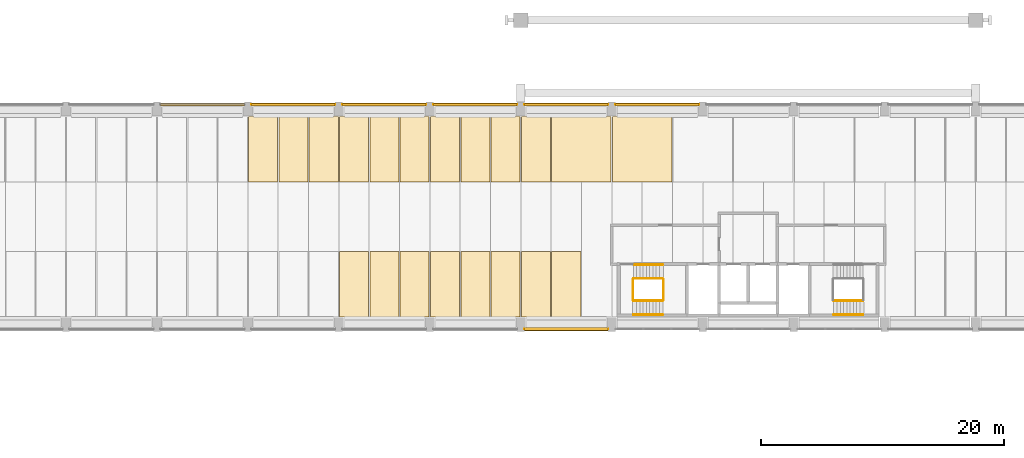
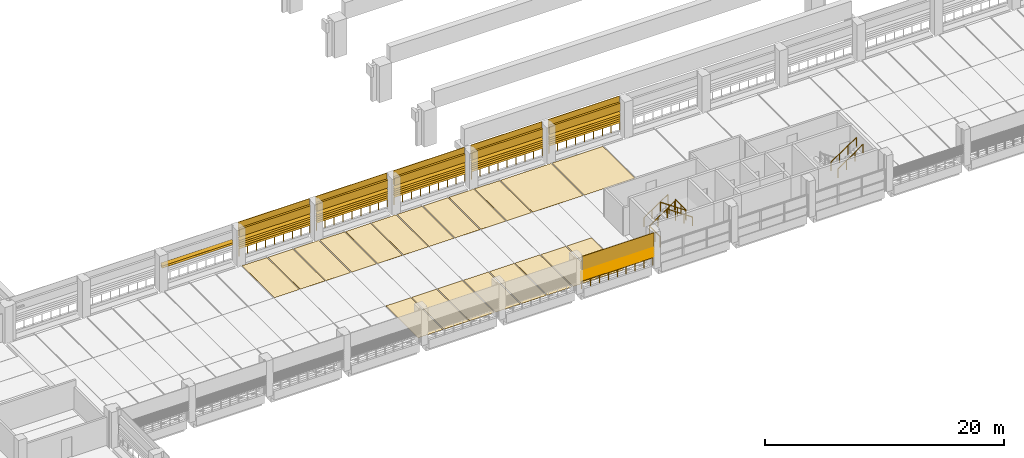
# One storey, part 45 of 61: 32 shading devices, 26 coverings, 14 railings.
"""IFC4 building model written with IfcOpenShell, lengths in metres."""

import ifcopenshell
import ifcopenshell.guid

model = None  # the IFC model being written
_history = None  # IfcOwnerHistory: only IFC2X3 demands one
_inside = {}  # id of a spatial element -> (the spatial element, [elements in it])
_under = {}  # id of a project, library or spatial element -> (it, [spatial elements below it])
_declared = {}  # id of a project -> (the project, [libraries it declares])
_typed = {}  # id of a type object -> (the type object, [elements of that type])
_made_of = {}  # id of a material, layer set ... -> (it, [elements and type objects made of it])


def new_model(schema):
    """Start an empty IFC model of exactly this schema.

    Asked for "IFC4X3", IfcOpenShell would pick the latest addendum, in which some entities
    have other attributes; the version numbers below select the first issue.
    IFC2X3 requires an IfcOwnerHistory on every rooted entity: one is made here for all.
    """
    global model, _history
    if schema == "IFC4X3":
        model = ifcopenshell.file(schema_version=(4, 3, 0, 0))
    else:
        model = ifcopenshell.file(schema=schema)
    _inside.clear()
    _under.clear()
    _declared.clear()
    _typed.clear()
    _made_of.clear()
    _history = None
    if model.schema == "IFC2X3":
        org = make("IfcOrganization", Name="unknown")
        user = make(
            "IfcPersonAndOrganization",
            ThePerson=make("IfcPerson", FamilyName="unknown"),
            TheOrganization=org,
        )
        app = make(
            "IfcApplication",
            ApplicationDeveloper=org,
            Version="unknown",
            ApplicationFullName="unknown",
            ApplicationIdentifier="unknown",
        )
        _history = make(
            "IfcOwnerHistory",
            OwningUser=user,
            OwningApplication=app,
            ChangeAction="ADDED",
            CreationDate=0,
        )
    return model


def make(cls, **values):
    """One entity of the class cls with the attributes given. An attribute that is None is left unset."""
    return model.create_entity(
        cls, **{name: value for name, value in values.items() if value is not None}
    )


def rooted(cls, **values):
    """An entity with a GlobalId (a new one), such as an element, a storey or a relation."""
    return make(cls, GlobalId=ifcopenshell.guid.new(), OwnerHistory=_history, **values)


def si_unit(unit_type, name, prefix=None):
    """IfcSIUnit, for example si_unit("LENGTHUNIT", "METRE", prefix="MILLI")."""
    return make("IfcSIUnit", UnitType=unit_type, Prefix=prefix, Name=name)


def assignment(units):
    """IfcUnitAssignment: the units of a project."""
    return None if units is None else make("IfcUnitAssignment", Units=units)


def point(xyz):
    """IfcCartesianPoint."""
    return None if xyz is None else make("IfcCartesianPoint", Coordinates=xyz)


def direction(xyz):
    """IfcDirection."""
    return None if xyz is None else make("IfcDirection", DirectionRatios=xyz)


def frame(location, z_axis=None, x_axis=None):
    """IfcAxis2Placement3D, a coordinate frame: its origin and axes. An axis left out is left unset."""
    return make(
        "IfcAxis2Placement3D",
        Location=point(location),
        Axis=direction(z_axis),
        RefDirection=direction(x_axis),
    )


def frame_2d(location, x_axis=None):
    """IfcAxis2Placement2D, a coordinate frame in the plane: its origin and x axis."""
    return make(
        "IfcAxis2Placement2D", Location=point(location), RefDirection=direction(x_axis)
    )


def origin():
    """The frame at (0, 0, 0) with its axes left unset."""
    return frame((0.0, 0.0, 0.0))


def origin_2d():
    """The frame at (0, 0) in the plane with its x axis left unset."""
    return frame_2d((0.0, 0.0))


def place(relative_to, where):
    """IfcLocalPlacement: puts the frame where relative to a parent placement (None: the world)."""
    return make(
        "IfcLocalPlacement", PlacementRelTo=relative_to, RelativePlacement=where
    )


def context(
    kind, dimensions, precision=None, world=None, true_north=None, identifier=None
):
    """IfcGeometricRepresentationContext, for example the 3D "Model" context."""
    return make(
        "IfcGeometricRepresentationContext",
        ContextIdentifier=identifier,
        ContextType=kind,
        CoordinateSpaceDimension=dimensions,
        Precision=precision,
        WorldCoordinateSystem=world,
        TrueNorth=true_north,
    )


def subcontext(parent, identifier, kind, view, scale=None):
    """IfcGeometricRepresentationSubContext, for example "Body" below "Model"."""
    return make(
        "IfcGeometricRepresentationSubContext",
        ContextIdentifier=identifier,
        ContextType=kind,
        ParentContext=parent,
        TargetScale=scale,
        TargetView=view,
    )


def project(units=None, contexts=None):
    """IfcProject with its units and contexts."""
    return rooted(
        "IfcProject",
        Name="project",
        RepresentationContexts=contexts,
        UnitsInContext=assignment(units),
    )


def spatial(cls, under=None, at=None, **own):
    """A site, building, storey or space (cls), placed at a placement, below another one or the project."""
    s = rooted(cls, ObjectPlacement=at, **own)
    if under is not None:
        _under.setdefault(under.id(), (under, []))[1].append(s)
    return s


def polyline(points):
    """IfcPolyline through the points."""
    return make("IfcPolyline", Points=[point(p) for p in points])


def profile(cls, at=None, kind="AREA", **sizes):
    """A parametric profile (cls). Its sizes go by their IFC names, for example OverallWidth=200.0."""
    return make(cls, ProfileType=kind, Position=at, **sizes)


def circle(**sizes):
    """IfcCircleProfileDef."""
    return profile("IfcCircleProfileDef", **sizes)


def outline(outer, holes=None, kind="AREA"):
    """IfcArbitraryClosedProfileDef: a profile drawn as a closed curve; with holes, ...WithVoids."""
    if holes is None:
        return make("IfcArbitraryClosedProfileDef", ProfileType=kind, OuterCurve=outer)
    return make(
        "IfcArbitraryProfileDefWithVoids",
        ProfileType=kind,
        OuterCurve=outer,
        InnerCurves=holes,
    )


def extrude(swept, where, along, depth):
    """IfcExtrudedAreaSolid: the profile swept, set in the frame where, extruded along a direction by depth."""
    return make(
        "IfcExtrudedAreaSolid",
        SweptArea=swept,
        Position=where,
        ExtrudedDirection=direction(along),
        Depth=depth,
    )


def shape(context_of_items, identifier, shape_type, items):
    """IfcShapeRepresentation: the items that make up one representation, for example the "Body"."""
    return make(
        "IfcShapeRepresentation",
        ContextOfItems=context_of_items,
        RepresentationIdentifier=identifier,
        RepresentationType=shape_type,
        Items=items,
    )


def material(Name=None, Category=None):
    """IfcMaterial."""
    return make("IfcMaterial", Name=Name, Category=Category)


def layer(
    of_material, thickness, ventilated=None, Name=None, Category=None, Priority=None
):
    """IfcMaterialLayer: one layer of a wall or slab, of a material (None: an air gap)."""
    return make(
        "IfcMaterialLayer",
        Material=of_material,
        LayerThickness=thickness,
        IsVentilated=ventilated,
        Name=Name,
        Category=Category,
        Priority=Priority,
    )


def layer_set(layers, Name=None):
    """IfcMaterialLayerSet."""
    return make("IfcMaterialLayerSet", MaterialLayers=layers, LayerSetName=Name)


def made_of(thing, what):
    """Note that an element or type object is made of a material, layer set ...; save() writes the relation."""
    if what is not None:
        _made_of.setdefault(what.id(), (what, []))[1].append(thing)
    return thing


def type_object(cls, material=None, **own):
    """A type object (cls), such as IfcWallType, which elements share."""
    return made_of(rooted(cls, **own), material)


def element(
    cls,
    number,
    at=None,
    inside=None,
    cuts=None,
    type_object=None,
    material=None,
    context=None,
    identifier="Body",
    shape_type=None,
    held_by="IfcProductDefinitionShape",
    body=None,
    shapes=None,
    **own,
):
    """One element of the class cls, such as IfcWall. Its Tag is "e" and its number.

    at: its placement. inside: the storey or other place that contains it. cuts: it is an
    opening in that element (IfcRelVoidsElement). A single representation is given by context,
    identifier, shape_type and body (its items); several are given by shapes. held_by: the class
    of the entity that holds the representations. save() writes the other relations.
    """
    e = rooted(cls, Tag="e%d" % number, ObjectPlacement=at, **own)
    if body is not None:
        shapes = [shape(context, identifier, shape_type, body)]
    if shapes is not None:
        e.Representation = make(held_by, Representations=shapes)
    if inside is not None:
        _inside.setdefault(inside.id(), (inside, []))[1].append(e)
    if cuts is not None:
        rooted(
            "IfcRelVoidsElement", RelatingBuildingElement=cuts, RelatedOpeningElement=e
        )
    if type_object is not None:
        _typed.setdefault(type_object.id(), (type_object, []))[1].append(e)
    return made_of(e, material)


def aggregate(whole, parts):
    """IfcRelAggregates: a whole, such as a stair, and the parts it consists of."""
    return rooted("IfcRelAggregates", RelatingObject=whole, RelatedObjects=parts)


def save(model, path):
    """Write the relations noted so far, then the file.

    IfcRelAggregates (storeys below a building ...), IfcRelContainedInSpatialStructure (elements
    in a storey), IfcRelDefinesByType, IfcRelAssociatesMaterial and IfcRelDeclares: one each for
    every whole, place, type object, material and project.
    """
    for whole, parts in _under.values():
        aggregate(whole, parts)
    for where, things in _inside.values():
        rooted(
            "IfcRelContainedInSpatialStructure",
            RelatedElements=things,
            RelatingStructure=where,
        )
    for kind, things in _typed.values():
        rooted("IfcRelDefinesByType", RelatedObjects=things, RelatingType=kind)
    for what, things in _made_of.values():
        rooted("IfcRelAssociatesMaterial", RelatedObjects=things, RelatingMaterial=what)
    for by, libraries in _declared.values():
        rooted("IfcRelDeclares", RelatingContext=by, RelatedDefinitions=libraries)
    model.write(path)


model = new_model("IFC4")

# Units and contexts
model_context = context("Model", 3, precision=1e-05, world=origin(), true_north=direction((0.0, 1.0)))
body_context = subcontext(model_context, "Body", "Model", "MODEL_VIEW")
ifc_project = project(units=[si_unit("LENGTHUNIT", "METRE"), si_unit("AREAUNIT", "SQUARE_METRE"), si_unit("VOLUMEUNIT", "CUBIC_METRE"), si_unit("PLANEANGLEUNIT", "RADIAN"), si_unit("MASSUNIT", "GRAM", prefix="KILO")], contexts=[model_context])

# Site, building, storey
site_placement = place(None, origin())
site = spatial("IfcSite", under=ifc_project, at=site_placement, CompositionType="ELEMENT")
building_placement = place(site_placement, origin())
building = spatial("IfcBuilding", under=site, at=building_placement, Name="Cour d'Honneur Mobility Palace", CompositionType="ELEMENT")
storey_placement = place(building_placement, frame((0.0, 0.0, 11.89990234375)))
storey = spatial("IfcBuildingStorey", under=building, at=storey_placement, Name="L03", CompositionType="ELEMENT", Elevation=11.89990234375)

# Coverings
ifc_material_1 = material(Name="Accessible bay marking paint")
ifc_layer_1 = layer(ifc_material_1, 0.0048828125)
ifc_layer_set_1 = layer_set([ifc_layer_1], Name="Accessible bay marking paint")
covering_type_1 = type_object("IfcCoveringType", Name="Accessible parking bay marking", PredefinedType="FLOORING", material=ifc_layer_set_1)
covering_1_placement = place(storey_placement, origin())
element("IfcCovering", 1, at=covering_1_placement, inside=storey, type_object=covering_type_1, Name="Accessible parking bay marking L03 1", PredefinedType="FLOORING", context=body_context, shape_type="SweptSolid", body=[
    extrude(outline(polyline([(64.949951171875, 56.550048828125), (64.949951171875, 61.949951171875), (69.85009765625, 61.949951171875), (69.85009765625, 56.550048828125), (64.949951171875, 56.550048828125)])), origin(), (0.0, 0.0, 1.0), 0.005126953125),
])
covering_2_placement = place(storey_placement, origin())
element("IfcCovering", 2, at=covering_2_placement, inside=storey, type_object=covering_type_1, Name="Accessible parking bay marking L03 2", PredefinedType="FLOORING", context=body_context, shape_type="SweptSolid", body=[
    extrude(outline(polyline([(69.949951171875, 56.550048828125), (69.949951171875, 61.949951171875), (74.85009765625, 61.949951171875), (74.85009765625, 56.550048828125), (69.949951171875, 56.550048828125)])), origin(), (0.0, 0.0, 1.0), 0.005126953125),
])

# Railings
ifc_material_2 = material(Name="Painted steel", Category="steel")
railing_type_1 = type_object("IfcRailingType", Name="Balustrade", PredefinedType="BALUSTRADE", material=ifc_material_2)
railing_1_placement = place(storey_placement, frame((62.699951171875, 44.449951171875, 0.300048828125)))
element("IfcRailing", 3, at=railing_1_placement, inside=storey, type_object=railing_type_1, Name="Balustrade BAL-145", PredefinedType="BALUSTRADE", context=body_context, shape_type="SweptSolid", body=[
    extrude(circle(Radius=0.02392578125, at=origin_2d()), frame((0.0, 0.0, 0.77587890625), z_axis=(1.0, 0.0, 0.0), x_axis=(0.0, 1.0, 0.0)), (0.0, 0.0, 1.0), 6.900146484375),
    extrude(circle(Radius=0.02099609375, at=origin_2d()), origin(), (0.0, 0.0, 1.0), 0.751953125),
    extrude(circle(Radius=0.02099609375, at=origin_2d()), frame((0.862548828125, 0.0, 0.0)), (0.0, 0.0, 1.0), 0.751953125),
    extrude(circle(Radius=0.02099609375, at=origin_2d()), frame((1.72509765625, 0.0, 0.0)), (0.0, 0.0, 1.0), 0.751953125),
    extrude(circle(Radius=0.02099609375, at=origin_2d()), frame((2.587646484375, 0.0, 0.0)), (0.0, 0.0, 1.0), 0.751953125),
    extrude(circle(Radius=0.02099609375, at=origin_2d()), frame((3.4501953125, 0.0, 0.0)), (0.0, 0.0, 1.0), 0.751953125),
    extrude(circle(Radius=0.02099609375, at=origin_2d()), frame((4.3125, 0.0, 0.0)), (0.0, 0.0, 1.0), 0.751953125),
    extrude(circle(Radius=0.02099609375, at=origin_2d()), frame((5.175048828125, 0.0, 0.0)), (0.0, 0.0, 1.0), 0.751953125),
    extrude(circle(Radius=0.02099609375, at=origin_2d()), frame((6.03759765625, 0.0, 0.0)), (0.0, 0.0, 1.0), 0.751953125),
    extrude(circle(Radius=0.02099609375, at=origin_2d()), frame((6.900146484375, 0.0, 0.0)), (0.0, 0.0, 1.0), 0.751953125),
])
for number, where, name in (
    (4, (77.10009765625, 62.949951171875, 0.300048828125), "Balustrade BAL-179"),
    (5, (69.60009765625, 62.949951171875, 0.300048828125), "Balustrade BAL-180"),
    (6, (62.10009765625, 62.949951171875, 0.300048828125), "Balustrade BAL-181"),
    (7, (54.60009765625, 62.949951171875, 0.300048828125), "Balustrade BAL-182"),
    (8, (47.10009765625, 62.949951171875, 0.300048828125), "Balustrade BAL-183"),
):
    element("IfcRailing", number, at=place(storey_placement, frame(where)), inside=storey, type_object=railing_type_1, Name=name, PredefinedType="BALUSTRADE", context=body_context, shape_type="SweptSolid", body=[
        extrude(circle(Radius=0.02392578125, at=origin_2d()), frame((0.0, 0.0, 0.77587890625), z_axis=(-1.0, 0.0, 0.0), x_axis=(0.0, -1.0, 0.0)), (0.0, 0.0, 1.0), 6.900146484375),
        extrude(circle(Radius=0.02099609375, at=origin_2d()), origin(), (0.0, 0.0, 1.0), 0.751953125),
        extrude(circle(Radius=0.02099609375, at=origin_2d()), frame((-0.862548828125, 0.0, 0.0)), (0.0, 0.0, 1.0), 0.751953125),
        extrude(circle(Radius=0.02099609375, at=origin_2d()), frame((-1.72509765625, 0.0, 0.0)), (0.0, 0.0, 1.0), 0.751953125),
        extrude(circle(Radius=0.02099609375, at=origin_2d()), frame((-2.587646484375, 0.0, 0.0)), (0.0, 0.0, 1.0), 0.751953125),
        extrude(circle(Radius=0.02099609375, at=origin_2d()), frame((-3.4501953125, 0.0, 0.0)), (0.0, 0.0, 1.0), 0.751953125),
        extrude(circle(Radius=0.02099609375, at=origin_2d()), frame((-4.3125, 0.0, 0.0)), (0.0, 0.0, 1.0), 0.751953125),
        extrude(circle(Radius=0.02099609375, at=origin_2d()), frame((-5.175048828125, 0.0, 0.0)), (0.0, 0.0, 1.0), 0.751953125),
        extrude(circle(Radius=0.02099609375, at=origin_2d()), frame((-6.03759765625, 0.0, 0.0)), (0.0, 0.0, 1.0), 0.751953125),
        extrude(circle(Radius=0.02099609375, at=origin_2d()), frame((-6.900146484375, 0.0, 0.0)), (0.0, 0.0, 1.0), 0.751953125),
    ])
ifc_material_3 = material(Name="Painted steel", Category="steel")
railing_type_2 = type_object("IfcRailingType", Name="Guardrail 1100", PredefinedType="GUARDRAIL", material=ifc_material_3)
for number, where, name in (
    (9, (71.655029296875, 46.824951171875, 0.0), "Guard ST-CC1"),
    (10, (74.1650390625, 46.824951171875, 1.85009765625), "Landing guard ST-CC1"),
):
    element("IfcRailing", number, at=place(storey_placement, frame(where)), inside=storey, type_object=railing_type_2, Name=name, PredefinedType="GUARDRAIL", context=body_context, shape_type="SweptSolid", body=[
        extrude(circle(Radius=0.02490234375, at=origin_2d()), frame((0.0, 0.0, 1.0751953125), z_axis=(0.0, 1.0, 0.0), x_axis=(-1.0, 0.0, 0.0)), (0.0, 0.0, 1.0), 1.72509765625),
        extrude(circle(Radius=0.02099609375, at=origin_2d()), origin(), (0.0, 0.0, 1.0), 1.050048828125),
        extrude(circle(Radius=0.02099609375, at=origin_2d()), frame((0.0, 0.862548828125, 0.0)), (0.0, 0.0, 1.0), 1.050048828125),
        extrude(circle(Radius=0.02099609375, at=origin_2d()), frame((0.0, 1.72509765625, 0.0)), (0.0, 0.0, 1.0), 1.050048828125),
    ])
ifc_material_4 = material(Name="Stainless steel", Category="steel")
railing_type_3 = type_object("IfcRailingType", Name="Handrail round 50", PredefinedType="HANDRAIL", material=ifc_material_4)
railing_2_placement = place(storey_placement, frame((71.77490234375, 49.75, 0.253662109375)))
element("IfcRailing", 11, at=railing_2_placement, inside=storey, type_object=railing_type_3, Name="Handrail ST-CC1", PredefinedType="HANDRAIL", context=body_context, shape_type="SweptSolid", body=[
    extrude(circle(Radius=0.02490234375, at=origin_2d()), frame((0.0, 0.0, 0.89501953125), z_axis=(0.824948791859, 0.0, 0.565207475898), x_axis=(0.0, 1.0, 0.0)), (0.0, 0.0, 1.0), 2.824462890625),
    extrude(circle(Radius=0.02099609375, at=origin_2d()), origin(), (0.0, 0.0, 1.0), 0.869873046875),
    extrude(circle(Radius=0.02099609375, at=origin_2d()), frame((0.776611328125, 0.0, 0.5322265625)), (0.0, 0.0, 1.0), 0.869873046875),
    extrude(circle(Radius=0.02099609375, at=origin_2d()), frame((1.553466796875, 0.0, 1.064208984375)), (0.0, 0.0, 1.0), 0.869873046875),
    extrude(circle(Radius=0.02099609375, at=origin_2d()), frame((2.330078125, 0.0, 1.596435546875)), (0.0, 0.0, 1.0), 0.869873046875),
])
railing_3_placement = place(storey_placement, frame((71.675048828125, 48.60009765625, 0.18505859375)))
element("IfcRailing", 12, at=railing_3_placement, inside=storey, type_object=railing_type_3, Name="Handrail ST-CC1", PredefinedType="HANDRAIL", context=body_context, shape_type="SweptSolid", body=[
    extrude(circle(Radius=0.02490234375, at=origin_2d()), frame((0.0, 0.0, 0.89501953125), z_axis=(0.8249187745, 0.0, 0.56525128525), x_axis=(0.0, 1.0, 0.0)), (0.0, 0.0, 1.0), 2.945556640625),
    extrude(circle(Radius=0.02099609375, at=origin_2d()), origin(), (0.0, 0.0, 1.0), 0.869873046875),
    extrude(circle(Radius=0.02099609375, at=origin_2d()), frame((0.81005859375, 0.0, 0.554931640625)), (0.0, 0.0, 1.0), 0.869873046875),
    extrude(circle(Radius=0.02099609375, at=origin_2d()), frame((1.619873046875, 0.0, 1.110107421875)), (0.0, 0.0, 1.0), 0.869873046875),
    extrude(circle(Radius=0.02099609375, at=origin_2d()), frame((2.429931640625, 0.0, 1.6650390625)), (0.0, 0.0, 1.0), 0.869873046875),
])
for number, where, name in (
    (13, (74.10498046875, 46.77490234375, 2.03515625), "Handrail ST-CC1"),
    (14, (74.10498046875, 45.625, 2.03515625), "Handrail ST-CC1"),
):
    element("IfcRailing", number, at=place(storey_placement, frame(where)), inside=storey, type_object=railing_type_3, Name=name, PredefinedType="HANDRAIL", context=body_context, shape_type="SweptSolid", body=[
        extrude(circle(Radius=0.02490234375, at=origin_2d()), frame((0.0, 0.0, 0.89501953125), z_axis=(-0.8249187745, 0.0, 0.56525128525), x_axis=(0.0, -1.0, 0.0)), (0.0, 0.0, 1.0), 2.945556640625),
        extrude(circle(Radius=0.02099609375, at=origin_2d()), origin(), (0.0, 0.0, 1.0), 0.869873046875),
        extrude(circle(Radius=0.02099609375, at=origin_2d()), frame((-0.81005859375, 0.0, 0.554931640625)), (0.0, 0.0, 1.0), 0.869873046875),
        extrude(circle(Radius=0.02099609375, at=origin_2d()), frame((-1.619873046875, 0.0, 1.110107421875)), (0.0, 0.0, 1.0), 0.869873046875),
        extrude(circle(Radius=0.02099609375, at=origin_2d()), frame((-2.429931640625, 0.0, 1.6650390625)), (0.0, 0.0, 1.0), 0.869873046875),
    ])
for number, where, name in (
    (15, (88.195068359375, 46.77490234375, 2.03515625), "Handrail ST-CC2"),
    (16, (88.195068359375, 45.625, 2.03515625), "Handrail ST-CC2"),
):
    element("IfcRailing", number, at=place(storey_placement, frame(where)), inside=storey, type_object=railing_type_3, Name=name, PredefinedType="HANDRAIL", context=body_context, shape_type="SweptSolid", body=[
        extrude(circle(Radius=0.02490234375, at=origin_2d()), frame((0.0, 0.0, 0.89501953125), z_axis=(0.8249187745, 0.0, 0.56525128525), x_axis=(0.0, 1.0, 0.0)), (0.0, 0.0, 1.0), 2.945556640625),
        extrude(circle(Radius=0.02099609375, at=origin_2d()), origin(), (0.0, 0.0, 1.0), 0.869873046875),
        extrude(circle(Radius=0.02099609375, at=origin_2d()), frame((0.81005859375, 0.0, 0.554931640625)), (0.0, 0.0, 1.0), 0.869873046875),
        extrude(circle(Radius=0.02099609375, at=origin_2d()), frame((1.619873046875, 0.0, 1.110107421875)), (0.0, 0.0, 1.0), 0.869873046875),
        extrude(circle(Radius=0.02099609375, at=origin_2d()), frame((2.429931640625, 0.0, 1.6650390625)), (0.0, 0.0, 1.0), 0.869873046875),
    ])

# Coverings
ifc_material_5 = material(Name="Parking marking paint")
ifc_layer_2 = layer(ifc_material_5, 0.0048828125)
ifc_layer_set_2 = layer_set([ifc_layer_2], Name="Parking marking paint")
covering_type_2 = type_object("IfcCoveringType", Name="Parking bay marking", PredefinedType="FLOORING", material=ifc_layer_set_2)
covering_3_placement = place(storey_placement, origin())
element("IfcCovering", 17, at=covering_3_placement, inside=storey, type_object=covering_type_2, Name="Parking bay marking L03 2", PredefinedType="FLOORING", context=body_context, shape_type="SweptSolid", body=[
    extrude(outline(polyline([(42.35009765625, 56.550048828125), (39.949951171875, 56.550048828125), (39.949951171875, 61.949951171875), (42.35009765625, 61.949951171875), (42.35009765625, 56.550048828125)])), origin(), (0.0, 0.0, 1.0), 0.005126953125),
])
covering_4_placement = place(storey_placement, origin())
element("IfcCovering", 18, at=covering_4_placement, inside=storey, type_object=covering_type_2, Name="Parking bay marking L03 3", PredefinedType="FLOORING", context=body_context, shape_type="SweptSolid", body=[
    extrude(outline(polyline([(44.85009765625, 56.550048828125), (42.449951171875, 56.550048828125), (42.449951171875, 61.949951171875), (44.85009765625, 61.949951171875), (44.85009765625, 56.550048828125)])), origin(), (0.0, 0.0, 1.0), 0.005126953125),
])
covering_5_placement = place(storey_placement, origin())
element("IfcCovering", 19, at=covering_5_placement, inside=storey, type_object=covering_type_2, Name="Parking bay marking L03 4", PredefinedType="FLOORING", context=body_context, shape_type="SweptSolid", body=[
    extrude(outline(polyline([(47.35009765625, 56.550048828125), (44.949951171875, 56.550048828125), (44.949951171875, 61.949951171875), (47.35009765625, 61.949951171875), (47.35009765625, 56.550048828125)])), origin(), (0.0, 0.0, 1.0), 0.005126953125),
])
covering_6_placement = place(storey_placement, origin())
element("IfcCovering", 20, at=covering_6_placement, inside=storey, type_object=covering_type_2, Name="Parking bay marking L03 5", PredefinedType="FLOORING", context=body_context, shape_type="SweptSolid", body=[
    extrude(outline(polyline([(49.85009765625, 56.550048828125), (47.449951171875, 56.550048828125), (47.449951171875, 61.949951171875), (49.85009765625, 61.949951171875), (49.85009765625, 56.550048828125)])), origin(), (0.0, 0.0, 1.0), 0.005126953125),
])
covering_7_placement = place(storey_placement, origin())
element("IfcCovering", 21, at=covering_7_placement, inside=storey, type_object=covering_type_2, Name="Parking bay marking L03 6", PredefinedType="FLOORING", context=body_context, shape_type="SweptSolid", body=[
    extrude(outline(polyline([(52.35009765625, 56.550048828125), (49.949951171875, 56.550048828125), (49.949951171875, 61.949951171875), (52.35009765625, 61.949951171875), (52.35009765625, 56.550048828125)])), origin(), (0.0, 0.0, 1.0), 0.005126953125),
])
covering_8_placement = place(storey_placement, origin())
element("IfcCovering", 22, at=covering_8_placement, inside=storey, type_object=covering_type_2, Name="Parking bay marking L03 7", PredefinedType="FLOORING", context=body_context, shape_type="SweptSolid", body=[
    extrude(outline(polyline([(54.85009765625, 56.550048828125), (52.449951171875, 56.550048828125), (52.449951171875, 61.949951171875), (54.85009765625, 61.949951171875), (54.85009765625, 56.550048828125)])), origin(), (0.0, 0.0, 1.0), 0.005126953125),
])
covering_9_placement = place(storey_placement, origin())
element("IfcCovering", 23, at=covering_9_placement, inside=storey, type_object=covering_type_2, Name="Parking bay marking L03 8", PredefinedType="FLOORING", context=body_context, shape_type="SweptSolid", body=[
    extrude(outline(polyline([(57.35009765625, 56.550048828125), (54.949951171875, 56.550048828125), (54.949951171875, 61.949951171875), (57.35009765625, 61.949951171875), (57.35009765625, 56.550048828125)])), origin(), (0.0, 0.0, 1.0), 0.005126953125),
])
covering_10_placement = place(storey_placement, origin())
element("IfcCovering", 24, at=covering_10_placement, inside=storey, type_object=covering_type_2, Name="Parking bay marking L03 9", PredefinedType="FLOORING", context=body_context, shape_type="SweptSolid", body=[
    extrude(outline(polyline([(59.85009765625, 56.550048828125), (57.449951171875, 56.550048828125), (57.449951171875, 61.949951171875), (59.85009765625, 61.949951171875), (59.85009765625, 56.550048828125)])), origin(), (0.0, 0.0, 1.0), 0.005126953125),
])
covering_11_placement = place(storey_placement, origin())
element("IfcCovering", 25, at=covering_11_placement, inside=storey, type_object=covering_type_2, Name="Parking bay marking L03 10", PredefinedType="FLOORING", context=body_context, shape_type="SweptSolid", body=[
    extrude(outline(polyline([(62.35009765625, 56.550048828125), (59.949951171875, 56.550048828125), (59.949951171875, 61.949951171875), (62.35009765625, 61.949951171875), (62.35009765625, 56.550048828125)])), origin(), (0.0, 0.0, 1.0), 0.005126953125),
])
covering_12_placement = place(storey_placement, origin())
element("IfcCovering", 26, at=covering_12_placement, inside=storey, type_object=covering_type_2, Name="Parking bay marking L03 11", PredefinedType="FLOORING", context=body_context, shape_type="SweptSolid", body=[
    extrude(outline(polyline([(64.85009765625, 56.550048828125), (62.449951171875, 56.550048828125), (62.449951171875, 61.949951171875), (64.85009765625, 61.949951171875), (64.85009765625, 56.550048828125)])), origin(), (0.0, 0.0, 1.0), 0.005126953125),
])
covering_13_placement = place(storey_placement, origin())
element("IfcCovering", 27, at=covering_13_placement, inside=storey, type_object=covering_type_2, Name="Parking bay marking L03 43", PredefinedType="FLOORING", context=body_context, shape_type="SweptSolid", body=[
    extrude(outline(polyline([(49.85009765625, 45.449951171875), (47.449951171875, 45.449951171875), (47.449951171875, 50.85009765625), (49.85009765625, 50.85009765625), (49.85009765625, 45.449951171875)])), origin(), (0.0, 0.0, 1.0), 0.005126953125),
])
covering_14_placement = place(storey_placement, origin())
element("IfcCovering", 28, at=covering_14_placement, inside=storey, type_object=covering_type_2, Name="Parking bay marking L03 44", PredefinedType="FLOORING", context=body_context, shape_type="SweptSolid", body=[
    extrude(outline(polyline([(52.35009765625, 45.449951171875), (49.949951171875, 45.449951171875), (49.949951171875, 50.85009765625), (52.35009765625, 50.85009765625), (52.35009765625, 45.449951171875)])), origin(), (0.0, 0.0, 1.0), 0.005126953125),
])
covering_15_placement = place(storey_placement, origin())
element("IfcCovering", 29, at=covering_15_placement, inside=storey, type_object=covering_type_2, Name="Parking bay marking L03 45", PredefinedType="FLOORING", context=body_context, shape_type="SweptSolid", body=[
    extrude(outline(polyline([(54.85009765625, 45.449951171875), (52.449951171875, 45.449951171875), (52.449951171875, 50.85009765625), (54.85009765625, 50.85009765625), (54.85009765625, 45.449951171875)])), origin(), (0.0, 0.0, 1.0), 0.005126953125),
])
covering_16_placement = place(storey_placement, origin())
element("IfcCovering", 30, at=covering_16_placement, inside=storey, type_object=covering_type_2, Name="Parking bay marking L03 46", PredefinedType="FLOORING", context=body_context, shape_type="SweptSolid", body=[
    extrude(outline(polyline([(57.35009765625, 45.449951171875), (54.949951171875, 45.449951171875), (54.949951171875, 50.85009765625), (57.35009765625, 50.85009765625), (57.35009765625, 45.449951171875)])), origin(), (0.0, 0.0, 1.0), 0.005126953125),
])
covering_17_placement = place(storey_placement, origin())
element("IfcCovering", 31, at=covering_17_placement, inside=storey, type_object=covering_type_2, Name="Parking bay marking L03 47", PredefinedType="FLOORING", context=body_context, shape_type="SweptSolid", body=[
    extrude(outline(polyline([(59.85009765625, 45.449951171875), (57.449951171875, 45.449951171875), (57.449951171875, 50.85009765625), (59.85009765625, 50.85009765625), (59.85009765625, 45.449951171875)])), origin(), (0.0, 0.0, 1.0), 0.005126953125),
])
covering_18_placement = place(storey_placement, origin())
element("IfcCovering", 32, at=covering_18_placement, inside=storey, type_object=covering_type_2, Name="Parking bay marking L03 48", PredefinedType="FLOORING", context=body_context, shape_type="SweptSolid", body=[
    extrude(outline(polyline([(62.35009765625, 45.449951171875), (59.949951171875, 45.449951171875), (59.949951171875, 50.85009765625), (62.35009765625, 50.85009765625), (62.35009765625, 45.449951171875)])), origin(), (0.0, 0.0, 1.0), 0.005126953125),
])
covering_19_placement = place(storey_placement, origin())
element("IfcCovering", 33, at=covering_19_placement, inside=storey, type_object=covering_type_2, Name="Parking bay marking L03 49", PredefinedType="FLOORING", context=body_context, shape_type="SweptSolid", body=[
    extrude(outline(polyline([(64.85009765625, 45.449951171875), (62.449951171875, 45.449951171875), (62.449951171875, 50.85009765625), (64.85009765625, 50.85009765625), (64.85009765625, 45.449951171875)])), origin(), (0.0, 0.0, 1.0), 0.005126953125),
])
covering_20_placement = place(storey_placement, origin())
element("IfcCovering", 34, at=covering_20_placement, inside=storey, type_object=covering_type_2, Name="Parking bay marking L03 51", PredefinedType="FLOORING", context=body_context, shape_type="SweptSolid", body=[
    extrude(outline(polyline([(67.35009765625, 45.449951171875), (64.949951171875, 45.449951171875), (64.949951171875, 50.85009765625), (67.35009765625, 50.85009765625), (67.35009765625, 45.449951171875)])), origin(), (0.0, 0.0, 1.0), 0.005126953125),
])
ifc_material_6 = material(Name="Cast limestone", Category="masonry")
ifc_layer_3 = layer(ifc_material_6, 0.25)
ifc_layer_set_3 = layer_set([ifc_layer_3], Name="Cast limestone")
covering_type_3 = type_object("IfcCoveringType", Name="Spandrel cladding", PredefinedType="CLADDING", material=ifc_layer_set_3)
for number, where, z_axis, x_axis, name in (
    (35, (62.699951171875, 44.550048828125, 2.300048828125), (-1.0, 0.0, 0.0), (0.0, -1.0, 0.0), "Spandrel cladding SK-218"),
    (36, (77.10009765625, 62.85009765625, 2.300048828125), (1.0, 0.0, 0.0), (0.0, 1.0, 0.0), "Spandrel cladding SK-254"),
    (37, (69.60009765625, 62.85009765625, 2.300048828125), (1.0, 0.0, 0.0), (0.0, 1.0, 0.0), "Spandrel cladding SK-255"),
    (38, (62.10009765625, 62.85009765625, 2.300048828125), (1.0, 0.0, 0.0), (0.0, 1.0, 0.0), "Spandrel cladding SK-256"),
    (39, (54.60009765625, 62.85009765625, 2.300048828125), (1.0, 0.0, 0.0), (0.0, 1.0, 0.0), "Spandrel cladding SK-257"),
    (40, (47.10009765625, 62.85009765625, 2.300048828125), (1.0, 0.0, 0.0), (0.0, 1.0, 0.0), "Spandrel cladding SK-258"),
):
    element("IfcCovering", number, at=place(storey_placement, frame(where, z_axis=z_axis, x_axis=x_axis)), inside=storey, type_object=covering_type_3, Name=name, PredefinedType="CLADDING", context=body_context, shape_type="SweptSolid", body=[
        extrude(outline(polyline([(0.0, 0.0), (0.25, 0.0), (0.25, 1.400146484375), (0.199951171875, 1.400146484375), (0.199951171875, 0.800048828125), (0.0, 0.800048828125), (0.0, 0.0)])), origin(), (0.0, 0.0, -1.0), 6.89990234375),
    ])

# Shading devices
ifc_material_7 = material(Name="Terracotta", Category="masonry")
ifc_layer_4 = layer(ifc_material_7, 0.02490234375)
ifc_layer_set_4 = layer_set([ifc_layer_4], Name="Terracotta")
shading_device_type = type_object("IfcShadingDeviceType", Name="Terracotta louvre blade", PredefinedType="JALOUSIE", material=ifc_layer_set_4)
for number, where, z_axis, x_axis, name in (
    (41, (62.699951171875, 44.55615234375, 1.10009765625), (0.0, 0.707106781187, 0.707106781187), (1.0, 0.0, 0.0), "Louvre blade LV-1 S2.6 L03 1"),
    (42, (62.699951171875, 44.55615234375, 1.312255859375), (0.0, 0.707106781187, 0.707106781187), (1.0, 0.0, 0.0), "Louvre blade LV-1 S2.6 L03 2"),
    (43, (62.699951171875, 44.55615234375, 1.5244140625), (0.0, 0.707106781187, 0.707106781187), (1.0, 0.0, 0.0), "Louvre blade LV-1 S2.6 L03 3"),
    (44, (62.699951171875, 44.55615234375, 1.736572265625), (0.0, 0.707106781187, 0.707106781187), (1.0, 0.0, 0.0), "Louvre blade LV-1 S2.6 L03 4"),
):
    element("IfcShadingDevice", number, at=place(storey_placement, frame(where, z_axis=z_axis, x_axis=x_axis)), inside=storey, type_object=shading_device_type, Name=name, PredefinedType="JALOUSIE", context=body_context, shape_type="SweptSolid", body=[
        extrude(outline(polyline([(0.0, 0.0), (6.900146484375, 0.0), (6.900146484375, -0.300037008228081), (0.0, -0.300037008228081), (0.0, 0.0)])), origin(), (0.0, 0.0, -1.0), 0.02490234375),
    ])
shading_device_1_placement = place(storey_placement, frame((62.699951171875, 44.55615234375, 1.94873046875), z_axis=(0.0, 0.706699578995, 0.707513749017), x_axis=(1.0, 0.0, 0.0)))
element("IfcShadingDevice", 45, at=shading_device_1_placement, inside=storey, type_object=shading_device_type, Name="Louvre blade LV-1 S2.6 L03 5", PredefinedType="JALOUSIE", context=body_context, shape_type="SweptSolid", body=[
    extrude(outline(polyline([(0.0, 0.0), (6.900146484375, 0.0), (6.900146484375, -0.29986442442957895), (0.0, -0.29986442442957895), (0.0, 0.0)])), origin(), (0.0, 0.0, -1.0), 0.02490234375),
])
for number, where, z_axis, x_axis, name in (
    (46, (77.10009765625, 62.843994140625, 1.10009765625), (0.0, -0.707106781187, 0.707106781187), (-1.0, 0.0, 0.0), "Louvre blade LV-1 N8.9 L03 1"),
    (47, (77.10009765625, 62.843994140625, 1.312255859375), (0.0, -0.707106781187, 0.707106781187), (-1.0, 0.0, 0.0), "Louvre blade LV-1 N8.9 L03 2"),
    (48, (77.10009765625, 62.843994140625, 1.5244140625), (0.0, -0.707106781187, 0.707106781187), (-1.0, 0.0, 0.0), "Louvre blade LV-1 N8.9 L03 3"),
    (49, (77.10009765625, 62.843994140625, 1.736572265625), (0.0, -0.707106781187, 0.707106781187), (-1.0, 0.0, 0.0), "Louvre blade LV-1 N8.9 L03 4"),
):
    element("IfcShadingDevice", number, at=place(storey_placement, frame(where, z_axis=z_axis, x_axis=x_axis)), inside=storey, type_object=shading_device_type, Name=name, PredefinedType="JALOUSIE", context=body_context, shape_type="SweptSolid", body=[
        extrude(outline(polyline([(0.0, 0.0), (6.900146484375, 0.0), (6.900146484375, -0.300037008228081), (0.0, -0.300037008228081), (0.0, 0.0)])), origin(), (0.0, 0.0, -1.0), 0.02490234375),
    ])
shading_device_2_placement = place(storey_placement, frame((77.10009765625, 62.843994140625, 1.94873046875), z_axis=(0.0, -0.706699578995, 0.707513749017), x_axis=(-1.0, 0.0, 0.0)))
element("IfcShadingDevice", 50, at=shading_device_2_placement, inside=storey, type_object=shading_device_type, Name="Louvre blade LV-1 N8.9 L03 5", PredefinedType="JALOUSIE", context=body_context, shape_type="SweptSolid", body=[
    extrude(outline(polyline([(0.0, 0.0), (6.900146484375, 0.0), (6.900146484375, -0.29986442442957895), (0.0, -0.29986442442957895), (0.0, 0.0)])), origin(), (0.0, 0.0, -1.0), 0.02490234375),
])
for number, where, z_axis, x_axis, name in (
    (51, (69.60009765625, 62.843994140625, 1.10009765625), (0.0, -0.707106781187, 0.707106781187), (-1.0, 0.0, 0.0), "Louvre blade LV-1 N8.10 L03 1"),
    (52, (69.60009765625, 62.843994140625, 1.312255859375), (0.0, -0.707106781187, 0.707106781187), (-1.0, 0.0, 0.0), "Louvre blade LV-1 N8.10 L03 2"),
    (53, (69.60009765625, 62.843994140625, 1.5244140625), (0.0, -0.707106781187, 0.707106781187), (-1.0, 0.0, 0.0), "Louvre blade LV-1 N8.10 L03 3"),
    (54, (69.60009765625, 62.843994140625, 1.736572265625), (0.0, -0.707106781187, 0.707106781187), (-1.0, 0.0, 0.0), "Louvre blade LV-1 N8.10 L03 4"),
):
    element("IfcShadingDevice", number, at=place(storey_placement, frame(where, z_axis=z_axis, x_axis=x_axis)), inside=storey, type_object=shading_device_type, Name=name, PredefinedType="JALOUSIE", context=body_context, shape_type="SweptSolid", body=[
        extrude(outline(polyline([(0.0, 0.0), (6.900146484375, 0.0), (6.900146484375, -0.300037008228081), (0.0, -0.300037008228081), (0.0, 0.0)])), origin(), (0.0, 0.0, -1.0), 0.02490234375),
    ])
shading_device_3_placement = place(storey_placement, frame((69.60009765625, 62.843994140625, 1.94873046875), z_axis=(0.0, -0.706699578995, 0.707513749017), x_axis=(-1.0, 0.0, 0.0)))
element("IfcShadingDevice", 55, at=shading_device_3_placement, inside=storey, type_object=shading_device_type, Name="Louvre blade LV-1 N8.10 L03 5", PredefinedType="JALOUSIE", context=body_context, shape_type="SweptSolid", body=[
    extrude(outline(polyline([(0.0, 0.0), (6.900146484375, 0.0), (6.900146484375, -0.29986442442957895), (0.0, -0.29986442442957895), (0.0, 0.0)])), origin(), (0.0, 0.0, -1.0), 0.02490234375),
])
for number, where, z_axis, x_axis, name in (
    (56, (62.10009765625, 62.843994140625, 1.10009765625), (0.0, -0.707106781187, 0.707106781187), (-1.0, 0.0, 0.0), "Louvre blade LV-1 N8.11 L03 1"),
    (57, (62.10009765625, 62.843994140625, 1.312255859375), (0.0, -0.707106781187, 0.707106781187), (-1.0, 0.0, 0.0), "Louvre blade LV-1 N8.11 L03 2"),
    (58, (62.10009765625, 62.843994140625, 1.5244140625), (0.0, -0.707106781187, 0.707106781187), (-1.0, 0.0, 0.0), "Louvre blade LV-1 N8.11 L03 3"),
    (59, (62.10009765625, 62.843994140625, 1.736572265625), (0.0, -0.707106781187, 0.707106781187), (-1.0, 0.0, 0.0), "Louvre blade LV-1 N8.11 L03 4"),
):
    element("IfcShadingDevice", number, at=place(storey_placement, frame(where, z_axis=z_axis, x_axis=x_axis)), inside=storey, type_object=shading_device_type, Name=name, PredefinedType="JALOUSIE", context=body_context, shape_type="SweptSolid", body=[
        extrude(outline(polyline([(0.0, 0.0), (6.900146484375, 0.0), (6.900146484375, -0.300037008228081), (0.0, -0.300037008228081), (0.0, 0.0)])), origin(), (0.0, 0.0, -1.0), 0.02490234375),
    ])
shading_device_4_placement = place(storey_placement, frame((62.10009765625, 62.843994140625, 1.94873046875), z_axis=(0.0, -0.706699578995, 0.707513749017), x_axis=(-1.0, 0.0, 0.0)))
element("IfcShadingDevice", 60, at=shading_device_4_placement, inside=storey, type_object=shading_device_type, Name="Louvre blade LV-1 N8.11 L03 5", PredefinedType="JALOUSIE", context=body_context, shape_type="SweptSolid", body=[
    extrude(outline(polyline([(0.0, 0.0), (6.900146484375, 0.0), (6.900146484375, -0.29986442442957895), (0.0, -0.29986442442957895), (0.0, 0.0)])), origin(), (0.0, 0.0, -1.0), 0.02490234375),
])
for number, where, z_axis, x_axis, name in (
    (61, (54.60009765625, 62.843994140625, 1.10009765625), (0.0, -0.707106781187, 0.707106781187), (-1.0, 0.0, 0.0), "Louvre blade LV-1 N8.12 L03 1"),
    (62, (54.60009765625, 62.843994140625, 1.312255859375), (0.0, -0.707106781187, 0.707106781187), (-1.0, 0.0, 0.0), "Louvre blade LV-1 N8.12 L03 2"),
    (63, (54.60009765625, 62.843994140625, 1.5244140625), (0.0, -0.707106781187, 0.707106781187), (-1.0, 0.0, 0.0), "Louvre blade LV-1 N8.12 L03 3"),
    (64, (54.60009765625, 62.843994140625, 1.736572265625), (0.0, -0.707106781187, 0.707106781187), (-1.0, 0.0, 0.0), "Louvre blade LV-1 N8.12 L03 4"),
):
    element("IfcShadingDevice", number, at=place(storey_placement, frame(where, z_axis=z_axis, x_axis=x_axis)), inside=storey, type_object=shading_device_type, Name=name, PredefinedType="JALOUSIE", context=body_context, shape_type="SweptSolid", body=[
        extrude(outline(polyline([(0.0, 0.0), (6.900146484375, 0.0), (6.900146484375, -0.300037008228081), (0.0, -0.300037008228081), (0.0, 0.0)])), origin(), (0.0, 0.0, -1.0), 0.02490234375),
    ])
shading_device_5_placement = place(storey_placement, frame((54.60009765625, 62.843994140625, 1.94873046875), z_axis=(0.0, -0.706699578995, 0.707513749017), x_axis=(-1.0, 0.0, 0.0)))
element("IfcShadingDevice", 65, at=shading_device_5_placement, inside=storey, type_object=shading_device_type, Name="Louvre blade LV-1 N8.12 L03 5", PredefinedType="JALOUSIE", context=body_context, shape_type="SweptSolid", body=[
    extrude(outline(polyline([(0.0, 0.0), (6.900146484375, 0.0), (6.900146484375, -0.29986442442957895), (0.0, -0.29986442442957895), (0.0, 0.0)])), origin(), (0.0, 0.0, -1.0), 0.02490234375),
])
for number, where, z_axis, x_axis, name in (
    (66, (47.10009765625, 62.843994140625, 1.10009765625), (0.0, -0.707106781187, 0.707106781187), (-1.0, 0.0, 0.0), "Louvre blade LV-1 N8.13 L03 1"),
    (67, (47.10009765625, 62.843994140625, 1.312255859375), (0.0, -0.707106781187, 0.707106781187), (-1.0, 0.0, 0.0), "Louvre blade LV-1 N8.13 L03 2"),
    (68, (47.10009765625, 62.843994140625, 1.5244140625), (0.0, -0.707106781187, 0.707106781187), (-1.0, 0.0, 0.0), "Louvre blade LV-1 N8.13 L03 3"),
    (69, (47.10009765625, 62.843994140625, 1.736572265625), (0.0, -0.707106781187, 0.707106781187), (-1.0, 0.0, 0.0), "Louvre blade LV-1 N8.13 L03 4"),
):
    element("IfcShadingDevice", number, at=place(storey_placement, frame(where, z_axis=z_axis, x_axis=x_axis)), inside=storey, type_object=shading_device_type, Name=name, PredefinedType="JALOUSIE", context=body_context, shape_type="SweptSolid", body=[
        extrude(outline(polyline([(0.0, 0.0), (6.900146484375, 0.0), (6.900146484375, -0.300037008228081), (0.0, -0.300037008228081), (0.0, 0.0)])), origin(), (0.0, 0.0, -1.0), 0.02490234375),
    ])
shading_device_6_placement = place(storey_placement, frame((47.10009765625, 62.843994140625, 1.94873046875), z_axis=(0.0, -0.706699578995, 0.707513749017), x_axis=(-1.0, 0.0, 0.0)))
element("IfcShadingDevice", 70, at=shading_device_6_placement, inside=storey, type_object=shading_device_type, Name="Louvre blade LV-1 N8.13 L03 5", PredefinedType="JALOUSIE", context=body_context, shape_type="SweptSolid", body=[
    extrude(outline(polyline([(0.0, 0.0), (6.900146484375, 0.0), (6.900146484375, -0.29986442442957895), (0.0, -0.29986442442957895), (0.0, 0.0)])), origin(), (0.0, 0.0, -1.0), 0.02490234375),
])
shading_device_7_placement = place(storey_placement, frame((39.60009765625, 62.843994140625, 1.736572265625), z_axis=(0.0, -0.707106781187, 0.707106781187), x_axis=(-1.0, 0.0, 0.0)))
element("IfcShadingDevice", 71, at=shading_device_7_placement, inside=storey, type_object=shading_device_type, Name="Louvre blade LV-1 N8.14 L03 4", PredefinedType="JALOUSIE", context=body_context, shape_type="SweptSolid", body=[
    extrude(outline(polyline([(0.0, 0.0), (6.900146484375, 0.0), (6.900146484375, -0.300037008228081), (0.0, -0.300037008228081), (0.0, 0.0)])), origin(), (0.0, 0.0, -1.0), 0.02490234375),
])
shading_device_8_placement = place(storey_placement, frame((39.60009765625, 62.843994140625, 1.94873046875), z_axis=(0.0, -0.706699578995, 0.707513749017), x_axis=(-1.0, 0.0, 0.0)))
element("IfcShadingDevice", 72, at=shading_device_8_placement, inside=storey, type_object=shading_device_type, Name="Louvre blade LV-1 N8.14 L03 5", PredefinedType="JALOUSIE", context=body_context, shape_type="SweptSolid", body=[
    extrude(outline(polyline([(0.0, 0.0), (6.900146484375, 0.0), (6.900146484375, -0.29986442442957895), (0.0, -0.29986442442957895), (0.0, 0.0)])), origin(), (0.0, 0.0, -1.0), 0.02490234375),
])

save(model, "model.ifc")
